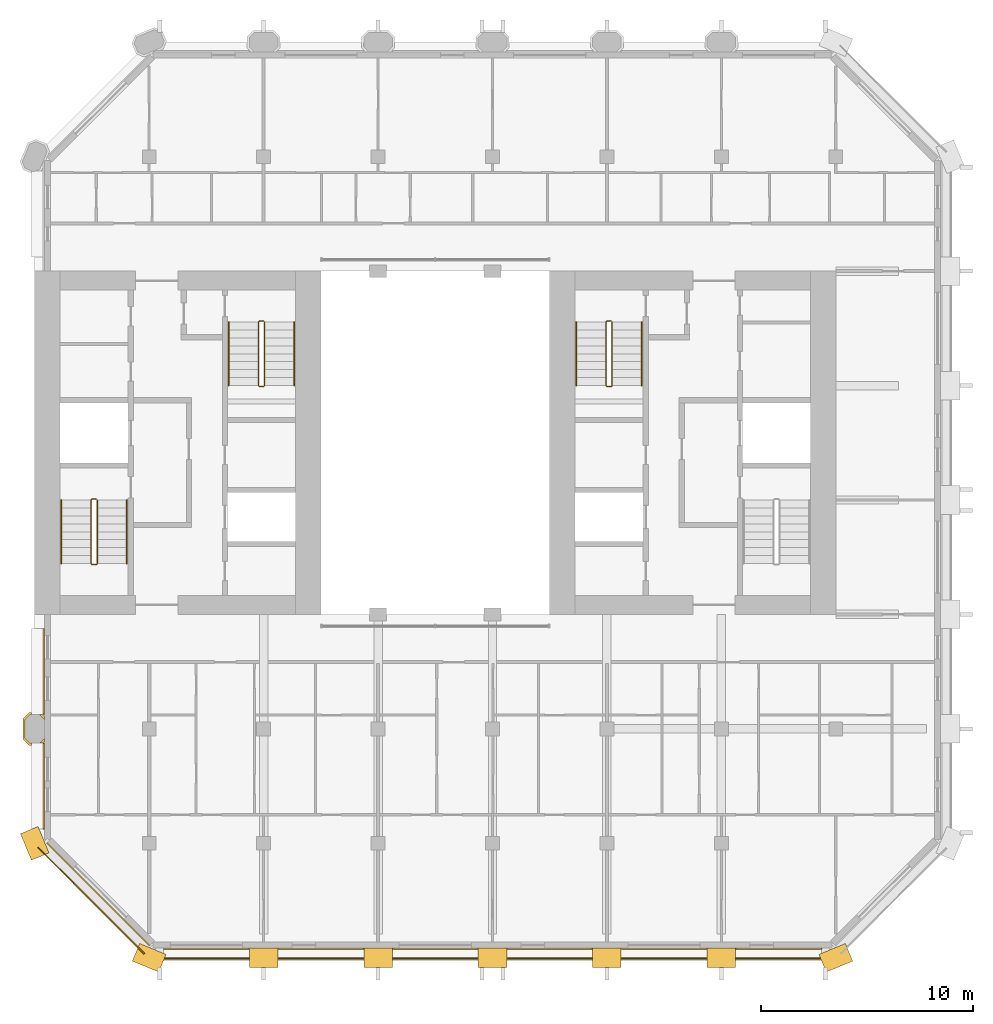
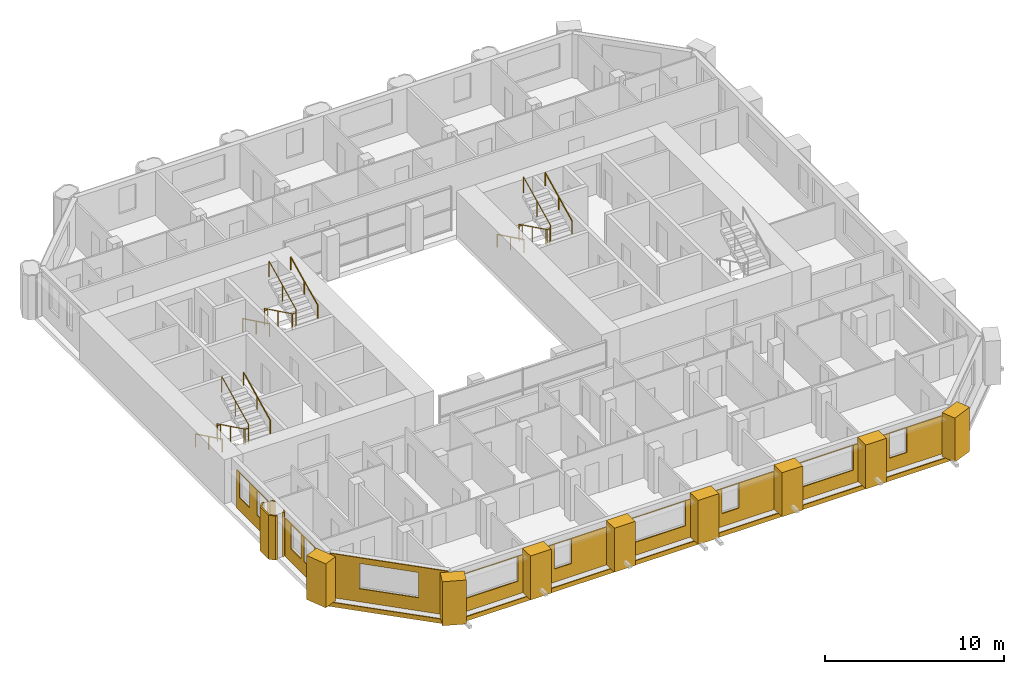
# One storey, part 12 of 13: 22 coverings, 9 railings.
"""IFC4 building model written with IfcOpenShell, lengths in metres."""

from ifc_helpers import new_model, si_unit, direction, frame, frame_2d, origin, origin_2d, place, context, subcontext, project, spatial, polyline, rectangle, circle, outline, extrude, material, layer, layer_set, type_object, element, save


model = new_model("IFC4")

# Units and contexts
model_context = context("Model", 3, precision=1e-05, world=origin(), true_north=direction((0.0, 1.0)))
body_context = subcontext(model_context, "Body", "Model", "MODEL_VIEW")
ifc_project = project(units=[si_unit("LENGTHUNIT", "METRE"), si_unit("AREAUNIT", "SQUARE_METRE"), si_unit("VOLUMEUNIT", "CUBIC_METRE"), si_unit("PLANEANGLEUNIT", "RADIAN"), si_unit("MASSUNIT", "GRAM", prefix="KILO")], contexts=[model_context])

# Site, building, storey
site_placement = place(None, origin())
site = spatial("IfcSite", under=ifc_project, at=site_placement, CompositionType="ELEMENT")
building_placement = place(site_placement, origin())
building = spatial("IfcBuilding", under=site, at=building_placement, Name="Tabaq Tower and Sports Hall", CompositionType="ELEMENT")
storey_placement = place(building_placement, frame((0.0, 0.0, 271.89990234375)))
storey = spatial("IfcBuildingStorey", under=building, at=storey_placement, Name="L66", CompositionType="ELEMENT", Elevation=271.89990234375)

# Coverings
ifc_material_1 = material(Name="Precast concrete C60/75", Category="concrete")
ifc_layer_1 = layer(ifc_material_1, 0.10009765625)
ifc_layer_set_1 = layer_set([ifc_layer_1], Name="Column cladding 100")
covering_type_1 = type_object("IfcCoveringType", Name="Column cladding 100", PredefinedType="CLADDING", material=ifc_layer_set_1)
covering_1_placement = place(storey_placement, origin())
element("IfcCovering", 1, at=covering_1_placement, inside=storey, type_object=covering_type_1, Name="Column cladding L66 PC-2C-R1", PredefinedType="CLADDING", context=body_context, shape_type="SweptSolid", body=[
    extrude(outline(polyline([(5.1337890625, 10.025390625), (4.850341796875, 10.30859375), (4.850341796875, 11.291259765625), (5.1337890625, 11.57470703125), (5.249755859375, 11.57470703125), (5.249755859375, 11.475341796875), (5.1748046875, 11.475341796875), (4.94970703125, 11.250244140625), (4.94970703125, 10.349853515625), (5.1748046875, 10.124755859375), (5.249755859375, 10.124755859375), (5.249755859375, 10.025390625), (5.1337890625, 10.025390625)])), origin(), (0.0, 0.0, 1.0), 3.0),
])
covering_2_placement = place(storey_placement, origin())
element("IfcCovering", 2, at=covering_2_placement, inside=storey, type_object=covering_type_1, Name="Column cladding L66 PC-2C-R1 2", PredefinedType="CLADDING", context=body_context, shape_type="SweptSolid", body=[
    extrude(outline(polyline([(5.766357421875, 10.125244140625), (5.625732421875, 10.125244140625), (5.849609375, 10.349365234375), (5.849609375, 10.208740234375), (5.766357421875, 10.125244140625)])), origin(), (0.0, 0.0, 1.0), 3.0),
])
covering_3_placement = place(storey_placement, origin())
element("IfcCovering", 3, at=covering_3_placement, inside=storey, type_object=covering_type_1, Name="Column cladding L66 PC-2C-R1 3", PredefinedType="CLADDING", context=body_context, shape_type="SweptSolid", body=[
    extrude(outline(polyline([(5.849609375, 11.391357421875), (5.849609375, 11.250732421875), (5.625732421875, 11.474609375), (5.766357421875, 11.474609375), (5.849609375, 11.391357421875)])), origin(), (0.0, 0.0, 1.0), 3.0),
])
ifc_material_2 = material(Name="Precast concrete C60/75", Category="concrete")
ifc_layer_2 = layer(ifc_material_2, 0.06005859375)
ifc_layer_set_2 = layer_set([ifc_layer_2], Name="Edge beam cladding 60")
covering_type_2 = type_object("IfcCoveringType", Name="Edge beam cladding 60", PredefinedType="CLADDING", material=ifc_layer_set_2)
covering_4_placement = place(storey_placement, frame((11.0986328125, -0.030029296875, -0.2998046875), z_axis=(0.0, 0.0, 1.0), x_axis=(1.0, 0.0, 0.0)))
element("IfcCovering", 4, at=covering_4_placement, inside=storey, type_object=covering_type_2, Name="Edge beam cladding L66 1", PredefinedType="CLADDING", context=body_context, shape_type="SweptSolid", body=[
    extrude(rectangle(XDim=31.802734375, YDim=0.06005859375, at=frame_2d((15.9013671875, 0.0))), origin(), (0.0, 0.0, 1.0), 0.2998046875),
])
covering_5_placement = place(storey_placement, frame((5.5556640625, 5.201904296875, -0.2998046875), z_axis=(0.0, 0.0, 1.0), x_axis=(0.707106781187, -0.707106781187, 0.0)))
element("IfcCovering", 5, at=covering_5_placement, inside=storey, type_object=covering_type_2, Name="Edge beam cladding L66 5", PredefinedType="CLADDING", context=body_context, shape_type="SweptSolid", body=[
    extrude(rectangle(XDim=7.087890625, YDim=0.06005859375, at=frame_2d((3.5439453125, 0.0))), origin(), (0.0, 0.0, 1.0), 0.2998046875),
])
ifc_material_3 = material(Name="White precast concrete C60/75", Category="concrete")
covering_type_3 = type_object("IfcCoveringType", Name="Pier cladding hung 1350x900", PredefinedType="CLADDING", material=ifc_material_3)
for number, where, z_axis, x_axis, name in (
    (6, (5.1416015625, 6.023681640625, 0.0), (0.0, 0.0, 1.0), (0.382649923473, -0.923893411637, 0.0), "Hung pier cladding 1/1"),
    (7, (10.17626953125, 0.25830078125, 0.0), (0.0, 0.0, 1.0), (0.923893411637, -0.382649923473, 0.0), "Hung pier cladding 2/0"),
    (8, (15.52490234375, 0.0, 0.0), (0.0, 0.0, 1.0), (1.0, 0.0, 0.0), "Hung pier cladding 3/0"),
):
    element("IfcCovering", number, at=place(storey_placement, frame(where, z_axis=z_axis, x_axis=x_axis)), inside=storey, type_object=covering_type_3, Name=name, PredefinedType="CLADDING", context=body_context, shape_type="SweptSolid", body=[
        extrude(rectangle(XDim=1.35009765625, YDim=0.89990234375, at=frame_2d((0.675048828125, 0.0))), origin(), (0.0, 0.0, 1.0), 3.0),
    ])
covering_6_placement = place(storey_placement, frame((20.925048828125, 0.0, 0.0), z_axis=(0.0, 0.0, 1.0), x_axis=(1.0, 0.0, 0.0)))
element("IfcCovering", 9, at=covering_6_placement, inside=storey, type_object=covering_type_3, Name="Hung pier cladding 4/0", PredefinedType="CLADDING", context=body_context, shape_type="SweptSolid", body=[
    extrude(rectangle(XDim=1.349853515625, YDim=0.89990234375, at=frame_2d((0.6748046875, 0.0))), origin(), (0.0, 0.0, 1.0), 3.0),
])
covering_7_placement = place(storey_placement, frame((26.324951171875, 0.0, 0.0), z_axis=(0.0, 0.0, 1.0), x_axis=(1.0, 0.0, 0.0)))
element("IfcCovering", 10, at=covering_7_placement, inside=storey, type_object=covering_type_3, Name="Hung pier cladding 5/0", PredefinedType="CLADDING", context=body_context, shape_type="SweptSolid", body=[
    extrude(rectangle(XDim=1.35009765625, YDim=0.89990234375, at=frame_2d((0.675048828125, 0.0))), origin(), (0.0, 0.0, 1.0), 3.0),
])
covering_8_placement = place(storey_placement, frame((31.72509765625, 0.0, 0.0), z_axis=(0.0, 0.0, 1.0), x_axis=(1.0, 0.0, 0.0)))
element("IfcCovering", 11, at=covering_8_placement, inside=storey, type_object=covering_type_3, Name="Hung pier cladding 6/0", PredefinedType="CLADDING", context=body_context, shape_type="SweptSolid", body=[
    extrude(rectangle(XDim=1.349853515625, YDim=0.89990234375, at=frame_2d((0.6748046875, 0.0))), origin(), (0.0, 0.0, 1.0), 3.0),
])
for number, where, z_axis, x_axis, name in (
    (12, (37.125, 0.0, 0.0), (0.0, 0.0, 1.0), (1.0, 0.0, 0.0), "Hung pier cladding 7/0"),
    (13, (42.576416015625, -0.25830078125, 0.0), (0.0, 0.0, 1.0), (0.923893411637, 0.382649923473, 0.0), "Hung pier cladding 8/0"),
):
    element("IfcCovering", number, at=place(storey_placement, frame(where, z_axis=z_axis, x_axis=x_axis)), inside=storey, type_object=covering_type_3, Name=name, PredefinedType="CLADDING", context=body_context, shape_type="SweptSolid", body=[
        extrude(rectangle(XDim=1.35009765625, YDim=0.89990234375, at=frame_2d((0.675048828125, 0.0))), origin(), (0.0, 0.0, 1.0), 3.0),
    ])

# Railings
ifc_material_4 = material(Name="Stainless steel", Category="steel")
railing_type_1 = type_object("IfcRailingType", Name="Stair guard", PredefinedType="GUARDRAIL", material=ifc_material_4)
railing_1_placement = place(storey_placement, frame((8.300048828125, 21.64990234375, 0.0)))
element("IfcRailing", 14, at=railing_1_placement, inside=storey, type_object=railing_type_1, Name="L66 ST1 stair guard 1", PredefinedType="GUARDRAIL", context=body_context, shape_type="SweptSolid", body=[
    extrude(circle(Radius=0.02392578125, at=origin_2d()), frame((0.0, 0.0, 1.076171875), z_axis=(-1.0, 0.0, 0.0), x_axis=(0.0, -1.0, 0.0)), (0.0, 0.0, 1.0), 0.199951171875),
    extrude(circle(Radius=0.02392578125, at=origin_2d()), frame((-0.199951171875, 0.0, 1.076171875), z_axis=(-0.254733673405, -0.25349107012, 0.933195066962), x_axis=(0.705375805398, -0.708833529934, 0.0)), (0.0, 0.0, 1.0), 0.196533203125),
    extrude(circle(Radius=0.02392578125, at=origin_2d()), frame((-0.25, -0.0498046875, 1.25927734375), z_axis=(0.0, -0.898368975038, 0.439241601728), x_axis=(1.0, 0.0, 0.0)), (0.0, 0.0, 1.0), 3.33935546875),
    extrude(circle(Radius=0.02392578125, at=origin_2d()), frame((-0.25, -3.0498046875, 2.72607421875), z_axis=(0.707106781187, -0.707106781187, 0.0), x_axis=(0.707106781187, 0.707106781187, 0.0)), (0.0, 0.0, 1.0), 0.07080078125),
    extrude(circle(Radius=0.02392578125, at=origin_2d()), frame((-0.199951171875, -3.099853515625, 2.72607421875), z_axis=(1.0, 0.0, 0.0), x_axis=(0.0, 1.0, 0.0)), (0.0, 0.0, 1.0), 0.199951171875),
    extrude(circle(Radius=0.02392578125, at=origin_2d()), frame((0.0, -3.099853515625, 2.72607421875), z_axis=(0.254653276557, 0.254653276557, 0.932900539971), x_axis=(-0.707106781187, 0.707106781187, 0.0)), (0.0, 0.0, 1.0), 0.196533203125),
    extrude(circle(Radius=0.02392578125, at=origin_2d()), frame((0.050048828125, -3.0498046875, 2.90966796875), z_axis=(0.0, 0.898397823093, 0.439182594671), x_axis=(-1.0, 0.0, 0.0)), (0.0, 0.0, 1.0), 3.33935546875),
    extrude(circle(Radius=0.02099609375, at=origin_2d()), origin(), (0.0, 0.0, 1.0), 1.052001953125),
    extrude(circle(Radius=0.02099609375, at=origin_2d()), frame((-0.199951171875, 0.0, 0.0)), (0.0, 0.0, 1.0), 1.052001953125),
    extrude(circle(Radius=0.02099609375, at=origin_2d()), frame((-0.25, -0.0498046875, 0.183349609375)), (0.0, 0.0, 1.0), 1.052001953125),
    extrude(circle(Radius=0.02099609375, at=origin_2d()), frame((-0.25, -1.5498046875, 0.916748046875)), (0.0, 0.0, 1.0), 1.052001953125),
    extrude(circle(Radius=0.02099609375, at=origin_2d()), frame((-0.25, -3.0498046875, 1.650146484375)), (0.0, 0.0, 1.0), 1.052001953125),
    extrude(circle(Radius=0.02099609375, at=origin_2d()), frame((-0.199951171875, -3.099853515625, 1.650146484375)), (0.0, 0.0, 1.0), 1.052001953125),
    extrude(circle(Radius=0.02099609375, at=origin_2d()), frame((0.0, -3.099853515625, 1.650146484375)), (0.0, 0.0, 1.0), 1.052001953125),
    extrude(circle(Radius=0.02099609375, at=origin_2d()), frame((0.050048828125, -3.0498046875, 1.83349609375)), (0.0, 0.0, 1.0), 1.052001953125),
    extrude(circle(Radius=0.02099609375, at=origin_2d()), frame((0.050048828125, -1.5498046875, 2.56689453125)), (0.0, 0.0, 1.0), 1.052001953125),
    extrude(circle(Radius=0.02099609375, at=origin_2d()), frame((0.050048828125, -0.0498046875, 3.300048828125)), (0.0, 0.0, 1.0), 1.052001953125),
])
railing_2_placement = place(storey_placement, frame((16.199951171875, 30.050048828125, 0.0)))
element("IfcRailing", 15, at=railing_2_placement, inside=storey, type_object=railing_type_1, Name="L66 ST2 stair guard 1", PredefinedType="GUARDRAIL", context=body_context, shape_type="SweptSolid", body=[
    extrude(circle(Radius=0.02392578125, at=origin_2d()), frame((0.0, 0.0, 1.076171875), z_axis=(-1.0, 0.0, 0.0), x_axis=(0.0, -1.0, 0.0)), (0.0, 0.0, 1.0), 0.199951171875),
    extrude(circle(Radius=0.02392578125, at=origin_2d()), frame((-0.199951171875, 0.0, 1.076171875), z_axis=(-0.254653276557, -0.254653276557, 0.932900539971), x_axis=(0.707106781187, -0.707106781187, 0.0)), (0.0, 0.0, 1.0), 0.196533203125),
    extrude(circle(Radius=0.02392578125, at=origin_2d()), frame((-0.25, -0.050048828125, 1.25927734375), z_axis=(0.0, -0.898368975038, 0.439241601728), x_axis=(1.0, 0.0, 0.0)), (0.0, 0.0, 1.0), 3.33935546875),
    extrude(circle(Radius=0.02392578125, at=origin_2d()), frame((-0.25, -3.050048828125, 2.72607421875), z_axis=(0.707106781187, -0.707106781187, 0.0), x_axis=(0.707106781187, 0.707106781187, 0.0)), (0.0, 0.0, 1.0), 0.07080078125),
    extrude(circle(Radius=0.02392578125, at=origin_2d()), frame((-0.199951171875, -3.10009765625, 2.72607421875), z_axis=(1.0, 0.0, 0.0), x_axis=(0.0, 1.0, 0.0)), (0.0, 0.0, 1.0), 0.199951171875),
    extrude(circle(Radius=0.02392578125, at=origin_2d()), frame((0.0, -3.10009765625, 2.72607421875), z_axis=(0.254653276557, 0.254653276557, 0.932900539971), x_axis=(-0.707106781187, 0.707106781187, 0.0)), (0.0, 0.0, 1.0), 0.196533203125),
    extrude(circle(Radius=0.02392578125, at=origin_2d()), frame((0.050048828125, -3.050048828125, 2.90966796875), z_axis=(0.0, 0.898397823093, 0.439182594671), x_axis=(-1.0, 0.0, 0.0)), (0.0, 0.0, 1.0), 3.33935546875),
    extrude(circle(Radius=0.02099609375, at=origin_2d()), origin(), (0.0, 0.0, 1.0), 1.052001953125),
    extrude(circle(Radius=0.02099609375, at=origin_2d()), frame((-0.199951171875, 0.0, 0.0)), (0.0, 0.0, 1.0), 1.052001953125),
    extrude(circle(Radius=0.02099609375, at=origin_2d()), frame((-0.25, -0.050048828125, 0.183349609375)), (0.0, 0.0, 1.0), 1.052001953125),
    extrude(circle(Radius=0.02099609375, at=origin_2d()), frame((-0.25, -1.550048828125, 0.916748046875)), (0.0, 0.0, 1.0), 1.052001953125),
    extrude(circle(Radius=0.02099609375, at=origin_2d()), frame((-0.25, -3.050048828125, 1.650146484375)), (0.0, 0.0, 1.0), 1.052001953125),
    extrude(circle(Radius=0.02099609375, at=origin_2d()), frame((-0.199951171875, -3.10009765625, 1.650146484375)), (0.0, 0.0, 1.0), 1.052001953125),
    extrude(circle(Radius=0.02099609375, at=origin_2d()), frame((0.0, -3.10009765625, 1.650146484375)), (0.0, 0.0, 1.0), 1.052001953125),
    extrude(circle(Radius=0.02099609375, at=origin_2d()), frame((0.050048828125, -3.050048828125, 1.83349609375)), (0.0, 0.0, 1.0), 1.052001953125),
    extrude(circle(Radius=0.02099609375, at=origin_2d()), frame((0.050048828125, -1.550048828125, 2.56689453125)), (0.0, 0.0, 1.0), 1.052001953125),
    extrude(circle(Radius=0.02099609375, at=origin_2d()), frame((0.050048828125, -0.050048828125, 3.300048828125)), (0.0, 0.0, 1.0), 1.052001953125),
])
railing_3_placement = place(storey_placement, frame((32.60009765625, 30.050048828125, 0.0)))
element("IfcRailing", 16, at=railing_3_placement, inside=storey, type_object=railing_type_1, Name="L66 ST4 stair guard 1", PredefinedType="GUARDRAIL", context=body_context, shape_type="SweptSolid", body=[
    extrude(circle(Radius=0.02392578125, at=origin_2d()), frame((0.0, 0.0, 1.076171875), z_axis=(-1.0, 0.0, 0.0), x_axis=(0.0, -1.0, 0.0)), (0.0, 0.0, 1.0), 0.2001953125),
    extrude(circle(Radius=0.02392578125, at=origin_2d()), frame((-0.2001953125, 0.0, 1.076171875), z_axis=(-0.25349107012, -0.254733673405, 0.933195066962), x_axis=(0.708833529934, -0.705375805398, 0.0)), (0.0, 0.0, 1.0), 0.196533203125),
    extrude(circle(Radius=0.02392578125, at=origin_2d()), frame((-0.25, -0.050048828125, 1.25927734375), z_axis=(0.0, -0.898368975038, 0.439241601728), x_axis=(1.0, 0.0, 0.0)), (0.0, 0.0, 1.0), 3.33935546875),
    extrude(circle(Radius=0.02392578125, at=origin_2d()), frame((-0.25, -3.050048828125, 2.72607421875), z_axis=(0.705375805398, -0.708833529934, 0.0), x_axis=(0.708833529934, 0.705375805398, 0.0)), (0.0, 0.0, 1.0), 0.070556640625),
    extrude(circle(Radius=0.02392578125, at=origin_2d()), frame((-0.2001953125, -3.10009765625, 2.72607421875), z_axis=(1.0, 0.0, 0.0), x_axis=(0.0, 1.0, 0.0)), (0.0, 0.0, 1.0), 0.2001953125),
    extrude(circle(Radius=0.02392578125, at=origin_2d()), frame((0.0, -3.10009765625, 2.72607421875), z_axis=(0.25349107012, 0.254733673405, 0.933195066962), x_axis=(-0.708833529934, 0.705375805398, 0.0)), (0.0, 0.0, 1.0), 0.196533203125),
    extrude(circle(Radius=0.02392578125, at=origin_2d()), frame((0.0498046875, -3.050048828125, 2.90966796875), z_axis=(0.0, 0.898397823093, 0.439182594671), x_axis=(-1.0, 0.0, 0.0)), (0.0, 0.0, 1.0), 3.33935546875),
    extrude(circle(Radius=0.02099609375, at=origin_2d()), origin(), (0.0, 0.0, 1.0), 1.052001953125),
    extrude(circle(Radius=0.02099609375, at=origin_2d()), frame((-0.2001953125, 0.0, 0.0)), (0.0, 0.0, 1.0), 1.052001953125),
    extrude(circle(Radius=0.02099609375, at=origin_2d()), frame((-0.25, -0.050048828125, 0.183349609375)), (0.0, 0.0, 1.0), 1.052001953125),
    extrude(circle(Radius=0.02099609375, at=origin_2d()), frame((-0.25, -1.550048828125, 0.916748046875)), (0.0, 0.0, 1.0), 1.052001953125),
    extrude(circle(Radius=0.02099609375, at=origin_2d()), frame((-0.25, -3.050048828125, 1.650146484375)), (0.0, 0.0, 1.0), 1.052001953125),
    extrude(circle(Radius=0.02099609375, at=origin_2d()), frame((-0.2001953125, -3.10009765625, 1.650146484375)), (0.0, 0.0, 1.0), 1.052001953125),
    extrude(circle(Radius=0.02099609375, at=origin_2d()), frame((0.0, -3.10009765625, 1.650146484375)), (0.0, 0.0, 1.0), 1.052001953125),
    extrude(circle(Radius=0.02099609375, at=origin_2d()), frame((0.0498046875, -3.050048828125, 1.83349609375)), (0.0, 0.0, 1.0), 1.052001953125),
    extrude(circle(Radius=0.02099609375, at=origin_2d()), frame((0.0498046875, -1.550048828125, 2.56689453125)), (0.0, 0.0, 1.0), 1.052001953125),
    extrude(circle(Radius=0.02099609375, at=origin_2d()), frame((0.0498046875, -0.050048828125, 3.300048828125)), (0.0, 0.0, 1.0), 1.052001953125),
])
ifc_material_5 = material(Name="Stainless steel", Category="steel")
railing_type_2 = type_object("IfcRailingType", Name="Stair handrail", PredefinedType="HANDRAIL", material=ifc_material_5)
railing_4_placement = place(storey_placement, frame((6.64990234375, 21.60009765625, 0.183349609375)))
element("IfcRailing", 17, at=railing_4_placement, inside=storey, type_object=railing_type_2, Name="L66 ST1 stair handrail 1", PredefinedType="HANDRAIL", context=body_context, shape_type="SweptSolid", body=[
    extrude(circle(Radius=0.02392578125, at=origin_2d()), frame((0.0, 0.0, 0.8759765625), z_axis=(0.0, -0.898368975038, 0.439241601728), x_axis=(1.0, 0.0, 0.0)), (0.0, 0.0, 1.0), 3.33935546875),
    extrude(circle(Radius=0.02099609375, at=origin_2d()), origin(), (0.0, 0.0, 1.0), 0.851806640625),
    extrude(circle(Radius=0.02099609375, at=origin_2d()), frame((0.0, -1.5, 0.7333984375)), (0.0, 0.0, 1.0), 0.851806640625),
    extrude(circle(Radius=0.02099609375, at=origin_2d()), frame((0.0, -3.0, 1.466796875)), (0.0, 0.0, 1.0), 0.851806640625),
])
railing_5_placement = place(storey_placement, frame((9.75, 18.60009765625, 1.83349609375)))
element("IfcRailing", 18, at=railing_5_placement, inside=storey, type_object=railing_type_2, Name="L66 ST1 stair handrail 2", PredefinedType="HANDRAIL", context=body_context, shape_type="SweptSolid", body=[
    extrude(circle(Radius=0.02392578125, at=origin_2d()), frame((0.0, 0.0, 0.8759765625), z_axis=(0.0, 0.898397823093, 0.439182594671), x_axis=(-1.0, 0.0, 0.0)), (0.0, 0.0, 1.0), 3.33935546875),
    extrude(circle(Radius=0.02099609375, at=origin_2d()), origin(), (0.0, 0.0, 1.0), 0.851806640625),
    extrude(circle(Radius=0.02099609375, at=origin_2d()), frame((0.0, 1.5, 0.7333984375)), (0.0, 0.0, 1.0), 0.851806640625),
    extrude(circle(Radius=0.02099609375, at=origin_2d()), frame((0.0, 3.0, 1.466552734375)), (0.0, 0.0, 1.0), 0.851806640625),
])
railing_6_placement = place(storey_placement, frame((14.550048828125, 30.0, 0.183349609375)))
element("IfcRailing", 19, at=railing_6_placement, inside=storey, type_object=railing_type_2, Name="L66 ST2 stair handrail 1", PredefinedType="HANDRAIL", context=body_context, shape_type="SweptSolid", body=[
    extrude(circle(Radius=0.02392578125, at=origin_2d()), frame((0.0, 0.0, 0.8759765625), z_axis=(0.0, -0.898368975038, 0.439241601728), x_axis=(1.0, 0.0, 0.0)), (0.0, 0.0, 1.0), 3.33935546875),
    extrude(circle(Radius=0.02099609375, at=origin_2d()), origin(), (0.0, 0.0, 1.0), 0.851806640625),
    extrude(circle(Radius=0.02099609375, at=origin_2d()), frame((0.0, -1.5, 0.7333984375)), (0.0, 0.0, 1.0), 0.851806640625),
    extrude(circle(Radius=0.02099609375, at=origin_2d()), frame((0.0, -3.0, 1.466796875)), (0.0, 0.0, 1.0), 0.851806640625),
])
railing_7_placement = place(storey_placement, frame((17.64990234375, 27.0, 1.83349609375)))
element("IfcRailing", 20, at=railing_7_placement, inside=storey, type_object=railing_type_2, Name="L66 ST2 stair handrail 2", PredefinedType="HANDRAIL", context=body_context, shape_type="SweptSolid", body=[
    extrude(circle(Radius=0.02392578125, at=origin_2d()), frame((0.0, 0.0, 0.8759765625), z_axis=(0.0, 0.898397823093, 0.439182594671), x_axis=(-1.0, 0.0, 0.0)), (0.0, 0.0, 1.0), 3.33935546875),
    extrude(circle(Radius=0.02099609375, at=origin_2d()), origin(), (0.0, 0.0, 1.0), 0.851806640625),
    extrude(circle(Radius=0.02099609375, at=origin_2d()), frame((0.0, 1.5, 0.7333984375)), (0.0, 0.0, 1.0), 0.851806640625),
    extrude(circle(Radius=0.02099609375, at=origin_2d()), frame((0.0, 3.0, 1.466552734375)), (0.0, 0.0, 1.0), 0.851806640625),
])
railing_8_placement = place(storey_placement, frame((30.949951171875, 30.0, 0.183349609375)))
element("IfcRailing", 21, at=railing_8_placement, inside=storey, type_object=railing_type_2, Name="L66 ST4 stair handrail 1", PredefinedType="HANDRAIL", context=body_context, shape_type="SweptSolid", body=[
    extrude(circle(Radius=0.02392578125, at=origin_2d()), frame((0.0, 0.0, 0.8759765625), z_axis=(0.0, -0.898368975038, 0.439241601728), x_axis=(1.0, 0.0, 0.0)), (0.0, 0.0, 1.0), 3.33935546875),
    extrude(circle(Radius=0.02099609375, at=origin_2d()), origin(), (0.0, 0.0, 1.0), 0.851806640625),
    extrude(circle(Radius=0.02099609375, at=origin_2d()), frame((0.0, -1.5, 0.7333984375)), (0.0, 0.0, 1.0), 0.851806640625),
    extrude(circle(Radius=0.02099609375, at=origin_2d()), frame((0.0, -3.0, 1.466796875)), (0.0, 0.0, 1.0), 0.851806640625),
])
railing_9_placement = place(storey_placement, frame((34.050048828125, 27.0, 1.83349609375)))
element("IfcRailing", 22, at=railing_9_placement, inside=storey, type_object=railing_type_2, Name="L66 ST4 stair handrail 2", PredefinedType="HANDRAIL", context=body_context, shape_type="SweptSolid", body=[
    extrude(circle(Radius=0.02392578125, at=origin_2d()), frame((0.0, 0.0, 0.8759765625), z_axis=(0.0, 0.898397823093, 0.439182594671), x_axis=(-1.0, 0.0, 0.0)), (0.0, 0.0, 1.0), 3.33935546875),
    extrude(circle(Radius=0.02099609375, at=origin_2d()), origin(), (0.0, 0.0, 1.0), 0.851806640625),
    extrude(circle(Radius=0.02099609375, at=origin_2d()), frame((0.0, 1.5, 0.7333984375)), (0.0, 0.0, 1.0), 0.851806640625),
    extrude(circle(Radius=0.02099609375, at=origin_2d()), frame((0.0, 3.0, 1.466552734375)), (0.0, 0.0, 1.0), 0.851806640625),
])

# Coverings
ifc_material_6 = material(Name="Precast concrete C60/75", Category="concrete")
ifc_layer_3 = layer(ifc_material_6, 0.06005859375)
ifc_layer_set_3 = layer_set([ifc_layer_3], Name="White precast cladding panel 60 C60/75")
covering_type_4 = type_object("IfcCoveringType", Name="White precast cladding panel 60 C60/75", PredefinedType="CLADDING", material=ifc_layer_set_3)
covering_9_placement = place(storey_placement, frame((11.465087890625, 0.419921875, 0.0), z_axis=(0.0, 0.0, 1.0), x_axis=(1.0, 0.0, 0.0)))
element("IfcCovering", 23, at=covering_9_placement, inside=storey, type_object=covering_type_4, Name="White precast cladding panel L66 wall00", PredefinedType="CLADDING", context=body_context, shape_type="SweptSolid", body=[
    extrude(outline(polyline([(0.0, 0.0), (4.0498046875, 0.0), (4.0498046875, 2.590087890625), (0.0, 2.590087890625), (0.0, 0.0)]), holes=[polyline([(3.7451171875, 0.89013671875), (0.324951171875, 0.89013671875), (0.324951171875, 2.56005859375), (3.7451171875, 2.56005859375), (3.7451171875, 0.89013671875)])]), frame((0.0, 0.030029296875, 0.0), z_axis=(0.0, -1.0, 0.0), x_axis=(1.0, 0.0, 0.0)), (0.0, 0.0, 1.0), 0.06005859375),
])
covering_10_placement = place(storey_placement, frame((16.885009765625, 0.419921875, 0.0), z_axis=(0.0, 0.0, 1.0), x_axis=(1.0, 0.0, 0.0)))
element("IfcCovering", 24, at=covering_10_placement, inside=storey, type_object=covering_type_4, Name="White precast cladding panel L66 wall00 2", PredefinedType="CLADDING", context=body_context, shape_type="SweptSolid", body=[
    extrude(outline(polyline([(0.0, 0.0), (4.030029296875, 0.0), (4.030029296875, 2.590087890625), (0.0, 2.590087890625), (0.0, 0.0)]), holes=[polyline([(1.77490234375, 0.89013671875), (0.655029296875, 0.89013671875), (0.655029296875, 2.56005859375), (1.77490234375, 2.56005859375), (1.77490234375, 0.89013671875)])]), frame((0.0, 0.030029296875, 0.0), z_axis=(0.0, -1.0, 0.0), x_axis=(1.0, 0.0, 0.0)), (0.0, 0.0, 1.0), 0.06005859375),
])
covering_11_placement = place(storey_placement, frame((22.284912109375, 0.419921875, 0.0), z_axis=(0.0, 0.0, 1.0), x_axis=(1.0, 0.0, 0.0)))
element("IfcCovering", 25, at=covering_11_placement, inside=storey, type_object=covering_type_4, Name="White precast cladding panel L66 wall00 3", PredefinedType="CLADDING", context=body_context, shape_type="SweptSolid", body=[
    extrude(outline(polyline([(0.0, 0.0), (4.030029296875, 0.0), (4.030029296875, 2.590087890625), (0.0, 2.590087890625), (0.0, 0.0)]), holes=[polyline([(3.72509765625, 0.89013671875), (0.304931640625, 0.89013671875), (0.304931640625, 2.56005859375), (3.72509765625, 2.56005859375), (3.72509765625, 0.89013671875)])]), frame((0.0, 0.030029296875, 0.0), z_axis=(0.0, -1.0, 0.0), x_axis=(1.0, 0.0, 0.0)), (0.0, 0.0, 1.0), 0.06005859375),
])
covering_12_placement = place(storey_placement, frame((27.68505859375, 0.419921875, 0.0), z_axis=(0.0, 0.0, 1.0), x_axis=(1.0, 0.0, 0.0)))
element("IfcCovering", 26, at=covering_12_placement, inside=storey, type_object=covering_type_4, Name="White precast cladding panel L66 wall00 4", PredefinedType="CLADDING", context=body_context, shape_type="SweptSolid", body=[
    extrude(outline(polyline([(0.0, 0.0), (4.030029296875, 0.0), (4.030029296875, 2.590087890625), (0.0, 2.590087890625), (0.0, 0.0)]), holes=[polyline([(1.77490234375, 0.89013671875), (0.655029296875, 0.89013671875), (0.655029296875, 2.56005859375), (1.77490234375, 2.56005859375), (1.77490234375, 0.89013671875)])]), frame((0.0, 0.030029296875, 0.0), z_axis=(0.0, -1.0, 0.0), x_axis=(1.0, 0.0, 0.0)), (0.0, 0.0, 1.0), 0.06005859375),
])
covering_13_placement = place(storey_placement, frame((33.0849609375, 0.419921875, 0.0), z_axis=(0.0, 0.0, 1.0), x_axis=(1.0, 0.0, 0.0)))
element("IfcCovering", 27, at=covering_13_placement, inside=storey, type_object=covering_type_4, Name="White precast cladding panel L66 wall00 5", PredefinedType="CLADDING", context=body_context, shape_type="SweptSolid", body=[
    extrude(outline(polyline([(0.0, 0.0), (4.030029296875, 0.0), (4.030029296875, 2.590087890625), (0.0, 2.590087890625), (0.0, 0.0)]), holes=[polyline([(3.72509765625, 0.89013671875), (0.304931640625, 0.89013671875), (0.304931640625, 2.56005859375), (3.72509765625, 2.56005859375), (3.72509765625, 0.89013671875)])]), frame((0.0, 0.030029296875, 0.0), z_axis=(0.0, -1.0, 0.0), x_axis=(1.0, 0.0, 0.0)), (0.0, 0.0, 1.0), 0.06005859375),
])
covering_14_placement = place(storey_placement, frame((38.485107421875, 0.419921875, 0.0), z_axis=(0.0, 0.0, 1.0), x_axis=(1.0, 0.0, 0.0)))
element("IfcCovering", 28, at=covering_14_placement, inside=storey, type_object=covering_type_4, Name="White precast cladding panel L66 wall00 6", PredefinedType="CLADDING", context=body_context, shape_type="SweptSolid", body=[
    extrude(outline(polyline([(0.0, 0.0), (4.0498046875, 0.0), (4.0498046875, 2.590087890625), (0.0, 2.590087890625), (0.0, 0.0)]), holes=[polyline([(1.77490234375, 0.89013671875), (0.655029296875, 0.89013671875), (0.655029296875, 2.56005859375), (1.77490234375, 2.56005859375), (1.77490234375, 0.89013671875)])]), frame((0.0, 0.030029296875, 0.0), z_axis=(0.0, -1.0, 0.0), x_axis=(1.0, 0.0, 0.0)), (0.0, 0.0, 1.0), 0.06005859375),
])
covering_15_placement = place(storey_placement, frame((5.820068359375, 15.534912109375, 0.0), z_axis=(0.0, 0.0, 1.0), x_axis=(0.0, -1.0, 0.0)))
element("IfcCovering", 29, at=covering_15_placement, inside=storey, type_object=covering_type_4, Name="White precast cladding panel L66 wall06-1", PredefinedType="CLADDING", context=body_context, shape_type="SweptSolid", body=[
    extrude(outline(polyline([(0.0, 0.0), (4.0498046875, 0.0), (4.0498046875, 2.590087890625), (0.0, 2.590087890625), (0.0, 0.0)]), holes=[polyline([(0.324951171875, 0.89013671875), (0.324951171875, 2.56005859375), (1.445068359375, 2.56005859375), (1.445068359375, 0.89013671875), (0.324951171875, 0.89013671875)]), polyline([(2.27490234375, 0.89013671875), (2.27490234375, 2.56005859375), (3.39501953125, 2.56005859375), (3.39501953125, 0.89013671875), (2.27490234375, 0.89013671875)])]), frame((0.0, 0.030029296875, 0.0), z_axis=(0.0, -1.0, 0.0), x_axis=(1.0, 0.0, 0.0)), (0.0, 0.0, 1.0), 0.06005859375),
])
covering_16_placement = place(storey_placement, frame((5.820068359375, 10.114990234375, 0.0), z_axis=(0.0, 0.0, 1.0), x_axis=(0.0, -1.0, 0.0)))
element("IfcCovering", 30, at=covering_16_placement, inside=storey, type_object=covering_type_4, Name="White precast cladding panel L66 wall06-1 2", PredefinedType="CLADDING", context=body_context, shape_type="SweptSolid", body=[
    extrude(outline(polyline([(0.0, 0.0), (4.050048828125, 0.0), (4.050048828125, 2.590087890625), (0.0, 2.590087890625), (0.0, 0.0)]), holes=[polyline([(0.655029296875, 0.89013671875), (0.655029296875, 2.56005859375), (1.77490234375, 2.56005859375), (1.77490234375, 0.89013671875), (0.655029296875, 0.89013671875)]), polyline([(2.10498046875, 0.89013671875), (2.10498046875, 2.56005859375), (3.22509765625, 2.56005859375), (3.22509765625, 0.89013671875), (2.10498046875, 0.89013671875)])]), frame((0.0, 0.030029296875, 0.0), z_axis=(0.0, -1.0, 0.0), x_axis=(1.0, 0.0, 0.0)), (0.0, 0.0, 1.0), 0.06005859375),
])
covering_17_placement = place(storey_placement, frame((5.9716796875, 5.42236328125, 0.0), z_axis=(0.0, 0.0, 1.0), x_axis=(0.707106781187, -0.707106781187, 0.0)))
element("IfcCovering", 31, at=covering_17_placement, inside=storey, type_object=covering_type_4, Name="White precast cladding panel L66 wall07", PredefinedType="CLADDING", context=body_context, shape_type="SweptSolid", body=[
    extrude(outline(polyline([(0.0, 0.0), (6.85986328125, 0.0), (6.85986328125, 3.0), (0.0, 3.0), (0.0, 0.0)]), holes=[polyline([(1.7197265625, 0.89013671875), (1.7197265625, 2.610107421875), (5.139892578125, 2.610107421875), (5.139892578125, 0.89013671875), (1.7197265625, 0.89013671875)])]), frame((0.0, 0.030029296875, 0.0), z_axis=(0.0, -1.0, 0.0), x_axis=(1.0, 0.0, 0.0)), (0.0, 0.0, 1.0), 0.06005859375),
])

save(model, "model.ifc")
